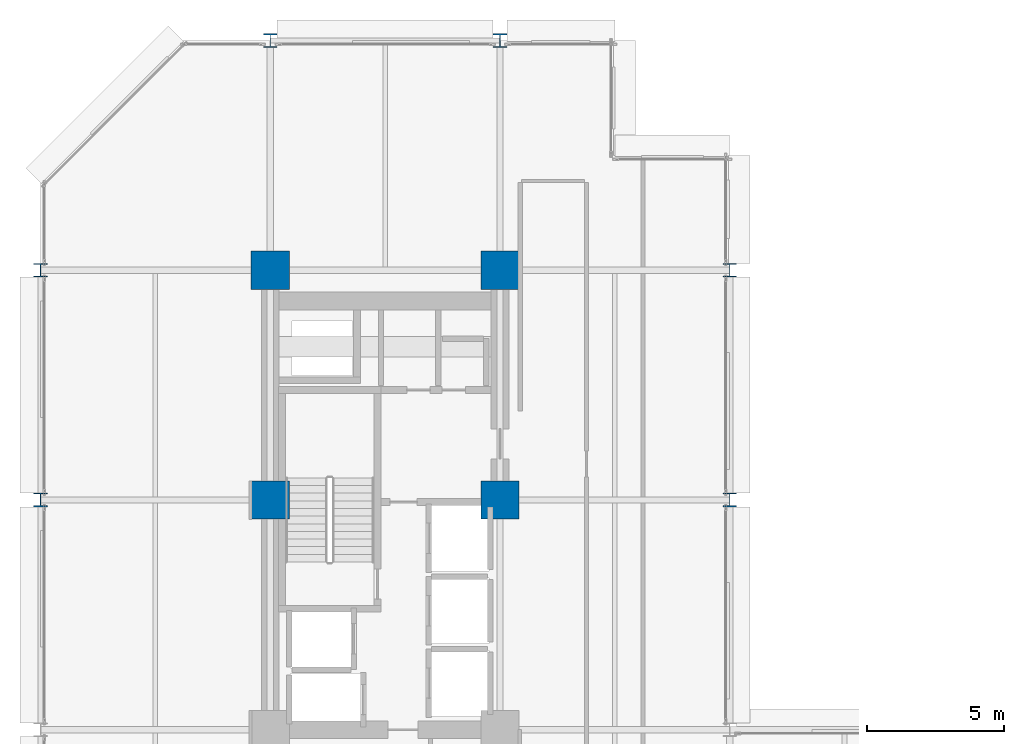
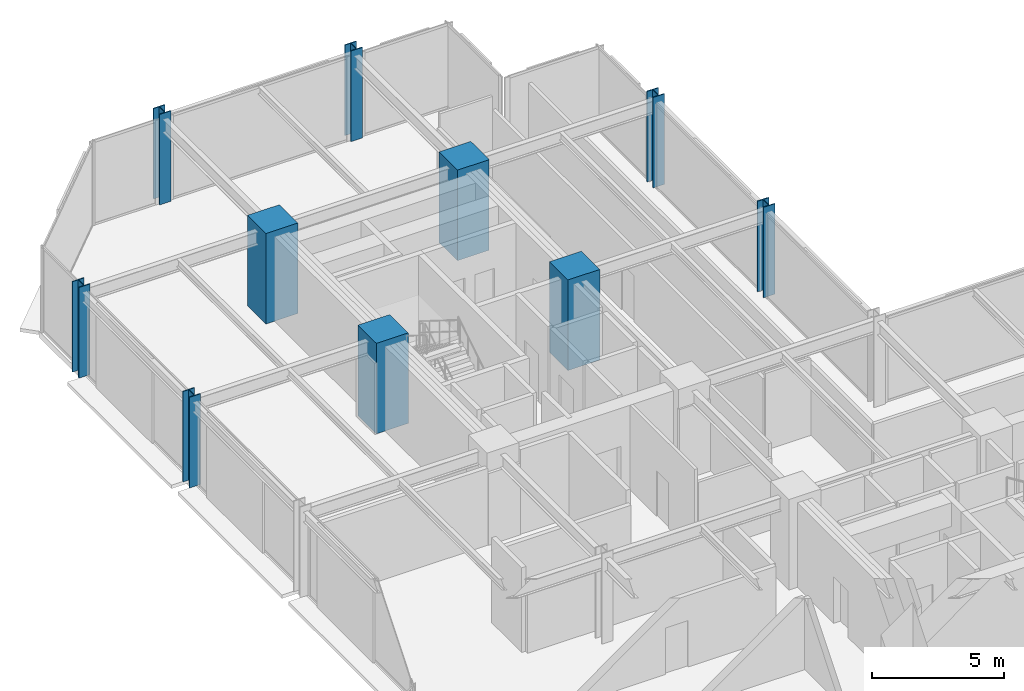
# One storey, part 3 of 27: 10 columns.
"""IFC4 building model written with IfcOpenShell, lengths in metres."""

from ifc_helpers import new_model, si_unit, direction, frame, origin, origin_2d, place, context, subcontext, project, spatial, rectangle, i_section, extrude, material, material_profile, profile_set, type_object, element, save


model = new_model("IFC4")

# Units and contexts
model_context = context("Model", 3, precision=1e-05, world=origin(), true_north=direction((0.0, 1.0)))
body_context = subcontext(model_context, "Body", "Model", "MODEL_VIEW")
ifc_project = project(units=[si_unit("LENGTHUNIT", "METRE"), si_unit("AREAUNIT", "SQUARE_METRE"), si_unit("VOLUMEUNIT", "CUBIC_METRE"), si_unit("PLANEANGLEUNIT", "RADIAN"), si_unit("MASSUNIT", "GRAM", prefix="KILO")], contexts=[model_context])

# Site, building, storey
site_placement = place(None, origin())
site = spatial("IfcSite", under=ifc_project, at=site_placement, CompositionType="ELEMENT")
building_placement = place(site_placement, origin())
building = spatial("IfcBuilding", under=site, at=building_placement, Name="Nerrivon Quay Data Exchange", CompositionType="ELEMENT")
storey_placement = place(building_placement, frame((0.0, 0.0, 66.800048828125)))
storey = spatial("IfcBuildingStorey", under=building, at=storey_placement, Name="L15", CompositionType="ELEMENT", Elevation=66.800048828125)

# Columns
ifc_material_1 = material(Name="Concrete N80 (80 MPa)", Category="concrete")
ifc_material_profile_1 = material_profile(ifc_material_1, rectangle(XDim=1.39990234375, YDim=1.39990234375, at=origin_2d()), Name="RC-COL-1400x1400")
ifc_profile_set_1 = profile_set([ifc_material_profile_1], Name="Concrete N80 (80 MPa)")
column_type_1 = type_object("IfcColumnType", Name="COL-C2-1400", PredefinedType="COLUMN", material=ifc_profile_set_1)
for number, where, z_axis, x_axis, name in (
    (1, (8.39990234375, 33.60009765625, 0.0), (0.0, 0.0, 1.0), (1.0, 0.0, 0.0), "L15 Column (8.4,33.6)"),
    (2, (8.39990234375, 42.0, 0.0), (0.0, 0.0, 1.0), (1.0, 0.0, 0.0), "L15 Column (8.4,42.0)"),
    (3, (16.800048828125, 33.60009765625, 0.0), (0.0, 0.0, 1.0), (1.0, 0.0, 0.0), "L15 Column (16.8,33.6)"),
    (4, (16.800048828125, 42.0, 0.0), (0.0, 0.0, 1.0), (1.0, 0.0, 0.0), "L15 Column (16.8,42.0)"),
):
    element("IfcColumn", number, at=place(storey_placement, frame(where, z_axis=z_axis, x_axis=x_axis)), inside=storey, type_object=column_type_1, Name=name, PredefinedType="COLUMN", context=body_context, shape_type="SweptSolid", body=[
        extrude(rectangle(XDim=1.39990234375, YDim=1.39990234375, at=origin_2d()), origin(), (0.0, 0.0, 1.0), 4.199951171875),
    ])
ifc_material_2 = material(Name="Steel Grade 350", Category="steel")
ifc_material_profile_2 = material_profile(ifc_material_2, i_section(OverallWidth=0.5, OverallDepth=0.5, WebThickness=0.028076171875, FlangeThickness=0.0400390625, at=origin_2d()), Name="500WC440")
ifc_profile_set_2 = profile_set([ifc_material_profile_2], Name="Steel Grade 350")
column_type_2 = type_object("IfcColumnType", Name="COL-SC1-500WC", PredefinedType="COLUMN", material=ifc_profile_set_2)
for number, where, z_axis, x_axis, name in (
    (5, (0.0, 33.60009765625, 0.0), (0.0, 0.0, 1.0), (1.0, 0.0, 0.0), "L15 Column (0.0,33.6)"),
    (6, (0.0, 42.0, 0.0), (0.0, 0.0, 1.0), (1.0, 0.0, 0.0), "L15 Column (0.0,42.0)"),
    (7, (8.39990234375, 50.39990234375, 0.0), (0.0, 0.0, 1.0), (1.0, 0.0, 0.0), "L15 Column (8.4,50.4)"),
    (8, (16.800048828125, 50.39990234375, 0.0), (0.0, 0.0, 1.0), (1.0, 0.0, 0.0), "L15 Column (16.8,50.4)"),
    (9, (25.199951171875, 33.60009765625, 0.0), (0.0, 0.0, 1.0), (1.0, 0.0, 0.0), "L15 Column (25.2,33.6)"),
    (10, (25.199951171875, 42.0, 0.0), (0.0, 0.0, 1.0), (1.0, 0.0, 0.0), "L15 Column (25.2,42.0)"),
):
    element("IfcColumn", number, at=place(storey_placement, frame(where, z_axis=z_axis, x_axis=x_axis)), inside=storey, type_object=column_type_2, Name=name, PredefinedType="COLUMN", context=body_context, shape_type="SweptSolid", body=[
        extrude(i_section(OverallWidth=0.5, OverallDepth=0.5, WebThickness=0.028076171875, FlangeThickness=0.0400390625, at=origin_2d()), origin(), (0.0, 0.0, 1.0), 4.199951171875),
    ])

save(model, "model.ifc")
